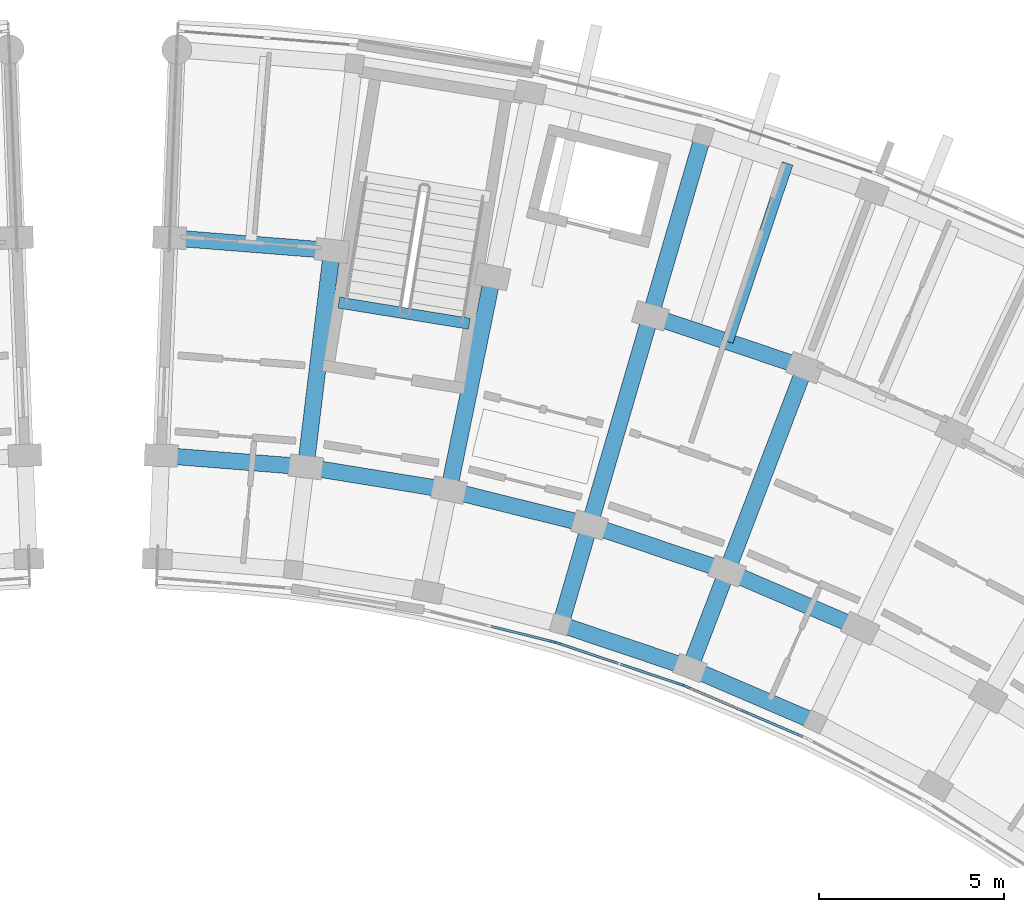
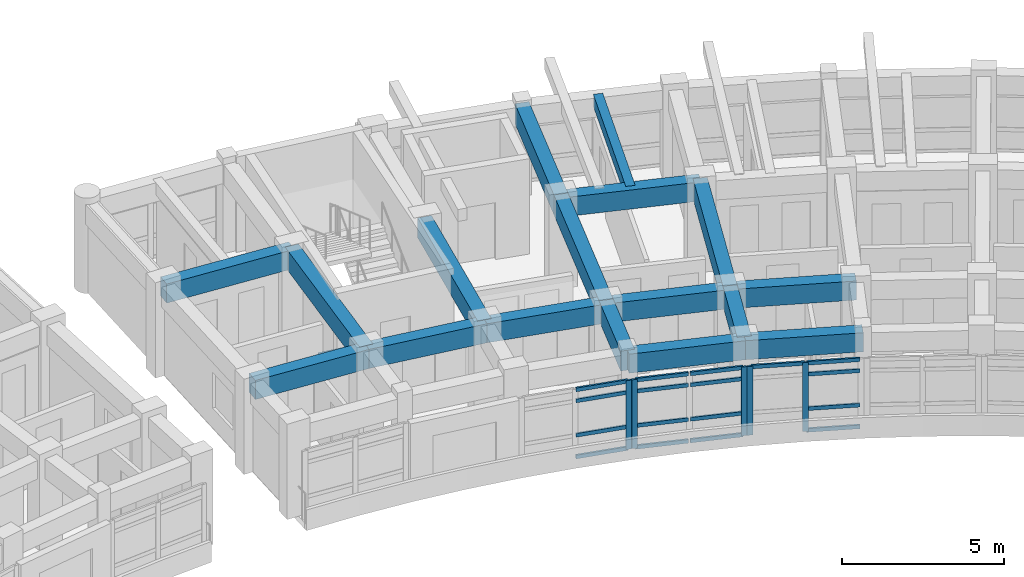
# One storey, part 26 of 83: 22 members, 18 beams, 3 elements without a shape of their own.
"""IFC4 building model written with IfcOpenShell, lengths in metres."""

from ifc_helpers import new_model, si_unit, direction, frame, origin, origin_2d, place, context, subcontext, project, spatial, rectangle, extrude, material, material_profile, profile_set, type_object, element, aggregate, save


model = new_model("IFC4")

# Units and contexts
model_context = context("Model", 3, precision=1e-05, world=origin(), true_north=direction((0.0, 1.0)))
body_context = subcontext(model_context, "Body", "Model", "MODEL_VIEW")
ifc_project = project(units=[si_unit("LENGTHUNIT", "METRE"), si_unit("AREAUNIT", "SQUARE_METRE"), si_unit("VOLUMEUNIT", "CUBIC_METRE"), si_unit("PLANEANGLEUNIT", "RADIAN"), si_unit("MASSUNIT", "GRAM", prefix="KILO")], contexts=[model_context])

# Site, building, storey
site_placement = place(None, origin())
site = spatial("IfcSite", under=ifc_project, at=site_placement, CompositionType="ELEMENT")
building_placement = place(site_placement, origin())
building = spatial("IfcBuilding", under=site, at=building_placement, Name="Zimvara Arc Housing Community", CompositionType="ELEMENT")
storey_placement = place(building_placement, frame((0.0, 0.0, 4.5)))
storey = spatial("IfcBuildingStorey", under=building, at=storey_placement, Name="L01", CompositionType="ELEMENT", Elevation=4.5)

# Beams
ifc_material_1 = material(Name="Concrete C40/50", Category="concrete")
ifc_material_profile_1 = material_profile(ifc_material_1, rectangle(XDim=0.300048828125, YDim=0.449951171875, at=origin_2d()), Name="RC 300x450")
ifc_profile_set_1 = profile_set([ifc_material_profile_1], Name="Concrete C40/50")
beam_type_1 = type_object("IfcBeamType", Name="BM-RC-300x450", PredefinedType="JOIST", material=ifc_profile_set_1)
beam_1_placement = place(storey_placement, frame((62.1279296875, 95.453369140625, 3.135009765625), z_axis=(0.318607669836, 0.947886677152, 0.0), x_axis=(-0.947886677152, 0.318607669836, 0.0)))
element("IfcBeam", 1, at=beam_1_placement, inside=storey, type_object=beam_type_1, Name="bm:blkB:L01:joist:b3", PredefinedType="JOIST", context=body_context, shape_type="SweptSolid", body=[
    extrude(rectangle(XDim=0.300048828125, YDim=0.449951171875, at=origin_2d()), origin(), (0.0, 0.0, 1.0), 5.07568359375),
])
ifc_material_2 = material(Name="Concrete C40/50", Category="concrete")
ifc_material_profile_2 = material_profile(ifc_material_2, rectangle(XDim=0.300048828125, YDim=0.5, at=origin_2d()), Name="RC 300x500")
ifc_profile_set_2 = profile_set([ifc_material_profile_2], Name="Concrete C40/50")
beam_type_2 = type_object("IfcBeamType", Name="BM-RC-300x500", PredefinedType="BEAM", material=ifc_profile_set_2)
beam_2_placement = place(storey_placement, frame((55.15771484375, 95.93701171875, -0.25), z_axis=(-0.987080057935, 0.160227835371, 0.0), x_axis=(-0.160227835371, -0.987080057935, 0.0)))
element("IfcBeam", 2, at=beam_2_placement, inside=storey, type_object=beam_type_2, Name="bm:stair_trim:ST-B1:L01:near", PredefinedType="BEAM", context=body_context, shape_type="SweptSolid", body=[
    extrude(rectangle(XDim=0.300048828125, YDim=0.5, at=origin_2d()), origin(), (0.0, 0.0, 1.0), 3.570068359375),
])
ifc_material_3 = material(Name="Concrete C40/50", Category="concrete")
ifc_material_profile_3 = material_profile(ifc_material_3, rectangle(XDim=0.43994140625, YDim=0.719970703125, at=origin_2d()), Name="RC 440x720")
ifc_profile_set_3 = profile_set([ifc_material_profile_3], Name="Concrete C40/50")
beam_type_3 = type_object("IfcBeamType", Name="BM-RC-440x720", PredefinedType="BEAM", material=ifc_profile_set_3)
for number, where, z_axis, x_axis, name in (
    (3, (57.618408203125, 87.819580078125, 3.0), (0.94789181932, -0.31859237101, 0.0), (0.31859237101, 0.94789181932, 0.0), "bm:blkB:L01:chord:r0:b3"),
    (4, (61.11083984375, 86.645751953125, 3.0), (0.918705736243, -0.394942742932, 0.0), (0.394942742932, 0.918705736243, 0.0), "bm:blkB:L01:chord:r0:b4"),
):
    element("IfcBeam", number, at=place(storey_placement, frame(where, z_axis=z_axis, x_axis=x_axis)), inside=storey, type_object=beam_type_3, Name=name, PredefinedType="BEAM", context=body_context, shape_type="SweptSolid", body=[
        extrude(rectangle(XDim=0.43994140625, YDim=0.719970703125, at=origin_2d()), origin(), (0.0, 0.0, 1.0), 3.684326171875),
    ])
beam_3_placement = place(storey_placement, frame((46.839599609375, 92.384765625, 3.0), z_axis=(0.99686054795, -0.079177319606, 0.0), x_axis=(0.079177319606, 0.99686054795, 0.0)))
element("IfcBeam", 5, at=beam_3_placement, inside=storey, type_object=beam_type_3, Name="bm:blkB:L01:chord:r1:b0", PredefinedType="BEAM", context=body_context, shape_type="SweptSolid", body=[
    extrude(rectangle(XDim=0.43994140625, YDim=0.719970703125, at=origin_2d()), origin(), (0.0, 0.0, 1.0), 3.912841796875),
])
for number, where, z_axis, x_axis, name in (
    (6, (50.740234375, 92.074951171875, 3.0), (0.987081487371, -0.160219029111, 0.0), (0.160219029111, 0.987081487371, 0.0), "bm:blkB:L01:chord:r1:b1"),
    (7, (54.602783203125, 91.447998046875, 3.0), (0.970708671682, -0.240259598602, 0.0), (0.240259598602, 0.970708671682, 0.0), "bm:blkB:L01:chord:r1:b2"),
    (8, (58.4013671875, 90.5078125, 3.0), (0.947881689069, -0.31862250945, 0.0), (0.31862250945, 0.947881689069, 0.0), "bm:blkB:L01:chord:r1:b3"),
    (9, (62.110595703125, 89.260986328125, 3.0), (0.91873144242, -0.394882940514, 0.0), (0.394882940514, 0.91873144242, 0.0), "bm:blkB:L01:chord:r1:b4"),
):
    element("IfcBeam", number, at=place(storey_placement, frame(where, z_axis=z_axis, x_axis=x_axis)), inside=storey, type_object=beam_type_3, Name=name, PredefinedType="BEAM", context=body_context, shape_type="SweptSolid", body=[
        extrude(rectangle(XDim=0.43994140625, YDim=0.719970703125, at=origin_2d()), origin(), (0.0, 0.0, 1.0), 3.9130859375),
    ])
beam_4_placement = place(storey_placement, frame((47.065185546875, 98.26025390625, 3.0), z_axis=(0.996864209836, -0.079131202119, 0.0), x_axis=(0.079131202119, 0.996864209836, 0.0)))
element("IfcBeam", 10, at=beam_4_placement, inside=storey, type_object=beam_type_3, Name="bm:blkB:L01:chord:r2:b0", PredefinedType="BEAM", context=body_context, shape_type="SweptSolid", body=[
    extrude(rectangle(XDim=0.43994140625, YDim=0.719970703125, at=origin_2d()), origin(), (0.0, 0.0, 1.0), 4.393310546875),
])
beam_5_placement = place(storey_placement, frame((60.0458984375, 96.1533203125, 3.0), z_axis=(0.947868796036, -0.318660862832, 0.0), x_axis=(0.318660862832, 0.947868796036, 0.0)))
element("IfcBeam", 11, at=beam_5_placement, inside=storey, type_object=beam_type_3, Name="bm:blkB:L01:chord:r2:b3", PredefinedType="BEAM", context=body_context, shape_type="SweptSolid", body=[
    extrude(rectangle(XDim=0.43994140625, YDim=0.719970703125, at=origin_2d()), origin(), (0.0, 0.0, 1.0), 4.39306640625),
])
ifc_material_4 = material(Name="Concrete C40/50", Category="concrete")
ifc_material_profile_4 = material_profile(ifc_material_4, rectangle(XDim=0.449951171875, YDim=0.75, at=origin_2d()), Name="RC 450x750")
ifc_profile_set_4 = profile_set([ifc_material_profile_4], Name="Concrete C40/50")
beam_type_4 = type_object("IfcBeamType", Name="BM-RC-450x750", PredefinedType="BEAM", material=ifc_profile_set_4)
for number, where, z_axis, x_axis, name in (
    (12, (50.740234375, 92.074951171875, 2.985107421875), (0.119827921695, 0.992794676246, 0.0), (-0.992794676246, 0.119827921695, 0.0), "bm:blkB:L01:rad:b1:r12"),
    (13, (54.602783203125, 91.447998046875, 2.985107421875), (0.200417973989, 0.979710485655, 0.0), (-0.979710485655, 0.200417973989, 0.0), "bm:blkB:L01:rad:b2:r12"),
):
    element("IfcBeam", number, at=place(storey_placement, frame(where, z_axis=z_axis, x_axis=x_axis)), inside=storey, type_object=beam_type_4, Name=name, PredefinedType="BEAM", context=body_context, shape_type="SweptSolid", body=[
        extrude(rectangle(XDim=0.449951171875, YDim=0.75, at=origin_2d()), origin(), (0.0, 0.0, 1.0), 5.880126953125),
    ])
beam_6_placement = place(storey_placement, frame((57.618408203125, 87.819580078125, 2.985107421875), z_axis=(0.279635015525, 0.960106378529, 0.0), x_axis=(-0.960106378529, 0.279635015525, 0.0)))
element("IfcBeam", 14, at=beam_6_placement, inside=storey, type_object=beam_type_4, Name="bm:blkB:L01:rad:b3:r01", PredefinedType="BEAM", context=body_context, shape_type="SweptSolid", body=[
    extrude(rectangle(XDim=0.449951171875, YDim=0.75, at=origin_2d()), origin(), (0.0, 0.0, 1.0), 2.800048828125),
])
beam_7_placement = place(storey_placement, frame((58.4013671875, 90.5078125, 2.985107421875), z_axis=(0.27967473749, 0.960094808449, 0.0), x_axis=(-0.960094808449, 0.27967473749, 0.0)))
element("IfcBeam", 15, at=beam_7_placement, inside=storey, type_object=beam_type_4, Name="bm:blkB:L01:rad:b3:r12", PredefinedType="BEAM", context=body_context, shape_type="SweptSolid", body=[
    extrude(rectangle(XDim=0.449951171875, YDim=0.75, at=origin_2d()), origin(), (0.0, 0.0, 1.0), 5.880126953125),
])
beam_8_placement = place(storey_placement, frame((60.0458984375, 96.1533203125, 2.985107421875), z_axis=(0.279662254096, 0.960098444762, 0.0), x_axis=(-0.960098444762, 0.279662254096, 0.0)))
element("IfcBeam", 16, at=beam_8_placement, inside=storey, type_object=beam_type_4, Name="bm:blkB:L01:rad:b3:r23", PredefinedType="BEAM", context=body_context, shape_type="SweptSolid", body=[
    extrude(rectangle(XDim=0.449951171875, YDim=0.75, at=origin_2d()), origin(), (0.0, 0.0, 1.0), 5.079833984375),
])
beam_9_placement = place(storey_placement, frame((61.11083984375, 86.645751953125, 2.985107421875), z_axis=(0.357079289134, 0.934074076972, 0.0), x_axis=(-0.934074076972, 0.357079289134, 0.0)))
element("IfcBeam", 17, at=beam_9_placement, inside=storey, type_object=beam_type_4, Name="bm:blkB:L01:rad:b4:r01", PredefinedType="BEAM", context=body_context, shape_type="SweptSolid", body=[
    extrude(rectangle(XDim=0.449951171875, YDim=0.75, at=origin_2d()), origin(), (0.0, 0.0, 1.0), 2.7998046875),
])
beam_10_placement = place(storey_placement, frame((62.110595703125, 89.260986328125, 2.985107421875), z_axis=(0.357036247742, 0.934090529766, 0.0), x_axis=(-0.934090529766, 0.357036247742, 0.0)))
element("IfcBeam", 18, at=beam_10_placement, inside=storey, type_object=beam_type_4, Name="bm:blkB:L01:rad:b4:r12", PredefinedType="BEAM", context=body_context, shape_type="SweptSolid", body=[
    extrude(rectangle(XDim=0.449951171875, YDim=0.75, at=origin_2d()), origin(), (0.0, 0.0, 1.0), 5.8798828125),
])

# Curtain wall, member
ifc_material_5 = material(Name="Anodised Aluminium AW-6063", Category="aluminium")
curtain_wall_type_1 = type_object("IfcCurtainWallType", Name="CW-SYS-04", PredefinedType="USERDEFINED", material=ifc_material_5)
curtain_wall_1_placement = place(storey_placement, origin())
curtain_wall_1 = element("IfcCurtainWall", 19, at=curtain_wall_1_placement, inside=storey, type_object=curtain_wall_type_1, Name="cw:blkB:L01:in:b2", ObjectType="CURTAIN WALL", PredefinedType="USERDEFINED")
ifc_material_6 = material(Name="Anodised Aluminium AW-6063", Category="aluminium")
ifc_material_profile_5 = material_profile(ifc_material_6, rectangle(XDim=0.06494140625, YDim=0.179931640625, at=origin_2d()), Name="ALU 65x180")
ifc_profile_set_5 = profile_set([ifc_material_profile_5], Name="Anodised Aluminium AW-6063")
member_type_1 = type_object("IfcMemberType", Name="CWM-65x150", PredefinedType="MULLION", material=ifc_profile_set_5)
member_1_placement = place(storey_placement, frame((57.388671875, 87.36181640625, 0.0), z_axis=(0.0, 0.0, 1.0), x_axis=(0.240227815706, 0.970716537698, 0.0)))
member_1 = element("IfcMember", 20, at=member_1_placement, type_object=member_type_1, Name="CW04 mullion 3", PredefinedType="MULLION", context=body_context, shape_type="SweptSolid", body=[
    extrude(rectangle(XDim=0.06494140625, YDim=0.179931640625, at=origin_2d()), origin(), (0.0, 0.0, 1.0), 2.60009765625),
])

# Curtain wall, members
ifc_material_7 = material(Name="Anodised Aluminium AW-6063", Category="aluminium")
curtain_wall_type_2 = type_object("IfcCurtainWallType", Name="CW-SYS-06", PredefinedType="USERDEFINED", material=ifc_material_7)
curtain_wall_2_placement = place(storey_placement, origin())
curtain_wall_2 = element("IfcCurtainWall", 21, at=curtain_wall_2_placement, inside=storey, type_object=curtain_wall_type_2, Name="cw:blkB:L01:in:b3", ObjectType="CURTAIN WALL", PredefinedType="USERDEFINED")
member_2_placement = place(storey_placement, frame((57.566162109375, 87.31005859375, 0.0), z_axis=(0.0, 0.0, 1.0), x_axis=(0.318630249383, 0.94787908732, 0.0)))
member_2 = element("IfcMember", 22, at=member_2_placement, type_object=member_type_1, Name="CW06 mullion 1", PredefinedType="MULLION", context=body_context, shape_type="SweptSolid", body=[
    extrude(rectangle(XDim=0.06494140625, YDim=0.179931640625, at=origin_2d()), origin(), (0.0, 0.0, 1.0), 2.60009765625),
])
member_3_placement = place(storey_placement, frame((60.844482421875, 86.2080078125, 0.0), z_axis=(0.0, 0.0, 1.0), x_axis=(0.318630249383, 0.94787908732, 0.0)))
member_3 = element("IfcMember", 23, at=member_3_placement, type_object=member_type_1, Name="CW06 mullion 3", PredefinedType="MULLION", context=body_context, shape_type="SweptSolid", body=[
    extrude(rectangle(XDim=0.06494140625, YDim=0.179931640625, at=origin_2d()), origin(), (0.0, 0.0, 1.0), 2.60009765625),
])

ifc_material_8 = material(Name="Anodised Aluminium AW-6063", Category="aluminium")
curtain_wall_type_3 = type_object("IfcCurtainWallType", Name="CW-SYS-08", PredefinedType="USERDEFINED", material=ifc_material_8)
curtain_wall_3_placement = place(storey_placement, origin())
curtain_wall_3 = element("IfcCurtainWall", 24, at=curtain_wall_3_placement, inside=storey, type_object=curtain_wall_type_3, Name="cw:blkB:L01:in:b4", ObjectType="CURTAIN WALL", PredefinedType="USERDEFINED")
member_4_placement = place(storey_placement, frame((61.01708984375, 86.14208984375, 0.0), z_axis=(0.0, 0.0, 1.0), x_axis=(0.394904493375, 0.918722178415, 0.0)))
member_4 = element("IfcMember", 25, at=member_4_placement, type_object=member_type_1, Name="CW08 mullion 1", PredefinedType="MULLION", context=body_context, shape_type="SweptSolid", body=[
    extrude(rectangle(XDim=0.06494140625, YDim=0.179931640625, at=origin_2d()), origin(), (0.0, 0.0, 1.0), 2.60009765625),
])
member_5_placement = place(storey_placement, frame((62.60595703125, 85.459228515625, 0.0), z_axis=(0.0, 0.0, 1.0), x_axis=(0.394904493375, 0.918722178415, 0.0)))
member_5 = element("IfcMember", 26, at=member_5_placement, type_object=member_type_1, Name="CW08 mullion 2", PredefinedType="MULLION", context=body_context, shape_type="SweptSolid", body=[
    extrude(rectangle(XDim=0.06494140625, YDim=0.179931640625, at=origin_2d()), origin(), (0.0, 0.0, 1.0), 2.60009765625),
])

# Member
ifc_material_9 = material(Name="Anodised Aluminium AW-6063", Category="aluminium")
ifc_material_profile_6 = material_profile(ifc_material_9, rectangle(XDim=0.06494140625, YDim=0.139892578125, at=origin_2d()), Name="ALU 65x140")
ifc_profile_set_6 = profile_set([ifc_material_profile_6], Name="Anodised Aluminium AW-6063")
member_type_2 = type_object("IfcMemberType", Name="CWT-65x120", PredefinedType="USERDEFINED", material=ifc_profile_set_6)
member_6_placement = place(storey_placement, frame((55.74169921875, 87.76953125, 0.032470703125), z_axis=(0.970700809973, -0.24029135964, 0.0), x_axis=(0.24029135964, 0.970700809973, 0.0)))
member_6 = element("IfcMember", 27, at=member_6_placement, type_object=member_type_2, Name="CW04 transom 2.1", ObjectType="TRANSOM", PredefinedType="USERDEFINED", context=body_context, shape_type="SweptSolid", body=[
    extrude(rectangle(XDim=0.06494140625, YDim=0.139892578125, at=origin_2d()), origin(), (0.0, 0.0, 1.0), 1.664306640625),
])

member_7_placement = place(storey_placement, frame((55.74169921875, 87.76953125, 0.85009765625), z_axis=(0.970700809973, -0.24029135964, 0.0), x_axis=(0.24029135964, 0.970700809973, 0.0)))
member_7 = element("IfcMember", 28, at=member_7_placement, type_object=member_type_2, Name="CW04 transom 2.2", ObjectType="TRANSOM", PredefinedType="USERDEFINED", context=body_context, shape_type="SweptSolid", body=[
    extrude(rectangle(XDim=0.06494140625, YDim=0.139892578125, at=origin_2d()), origin(), (0.0, 0.0, 1.0), 1.664306640625),
])

member_8_placement = place(storey_placement, frame((55.74169921875, 87.76953125, 2.14990234375), z_axis=(0.970700809973, -0.24029135964, 0.0), x_axis=(0.24029135964, 0.970700809973, 0.0)))
member_8 = element("IfcMember", 29, at=member_8_placement, type_object=member_type_2, Name="CW04 transom 2.3", ObjectType="TRANSOM", PredefinedType="USERDEFINED", context=body_context, shape_type="SweptSolid", body=[
    extrude(rectangle(XDim=0.06494140625, YDim=0.139892578125, at=origin_2d()), origin(), (0.0, 0.0, 1.0), 1.664306640625),
])

member_9_placement = place(storey_placement, frame((55.74169921875, 87.76953125, 2.5673828125), z_axis=(0.970700809973, -0.24029135964, 0.0), x_axis=(0.24029135964, 0.970700809973, 0.0)))
member_9 = element("IfcMember", 30, at=member_9_placement, type_object=member_type_2, Name="CW04 transom 2.4", ObjectType="TRANSOM", PredefinedType="USERDEFINED", context=body_context, shape_type="SweptSolid", body=[
    extrude(rectangle(XDim=0.06494140625, YDim=0.139892578125, at=origin_2d()), origin(), (0.0, 0.0, 1.0), 1.664306640625),
])

aggregate(curtain_wall_1, [member_1, member_6, member_7, member_8, member_9])

member_10_placement = place(storey_placement, frame((57.596923828125, 87.2998046875, 0.032470703125), z_axis=(0.947888214723, -0.318603095385, 0.0), x_axis=(0.318603095385, 0.947888214723, 0.0)))
member_10 = element("IfcMember", 31, at=member_10_placement, type_object=member_type_2, Name="CW06 transom 1.1", ObjectType="TRANSOM", PredefinedType="USERDEFINED", context=body_context, shape_type="SweptSolid", body=[
    extrude(rectangle(XDim=0.06494140625, YDim=0.139892578125, at=origin_2d()), origin(), (0.0, 0.0, 1.0), 1.664306640625),
])

member_11_placement = place(storey_placement, frame((57.596923828125, 87.2998046875, 0.85009765625), z_axis=(0.947888214723, -0.318603095385, 0.0), x_axis=(0.318603095385, 0.947888214723, 0.0)))
member_11 = element("IfcMember", 32, at=member_11_placement, type_object=member_type_2, Name="CW06 transom 1.2", ObjectType="TRANSOM", PredefinedType="USERDEFINED", context=body_context, shape_type="SweptSolid", body=[
    extrude(rectangle(XDim=0.06494140625, YDim=0.139892578125, at=origin_2d()), origin(), (0.0, 0.0, 1.0), 1.664306640625),
])

member_12_placement = place(storey_placement, frame((57.596923828125, 87.2998046875, 2.14990234375), z_axis=(0.947888214723, -0.318603095385, 0.0), x_axis=(0.318603095385, 0.947888214723, 0.0)))
member_12 = element("IfcMember", 33, at=member_12_placement, type_object=member_type_2, Name="CW06 transom 1.3", ObjectType="TRANSOM", PredefinedType="USERDEFINED", context=body_context, shape_type="SweptSolid", body=[
    extrude(rectangle(XDim=0.06494140625, YDim=0.139892578125, at=origin_2d()), origin(), (0.0, 0.0, 1.0), 1.664306640625),
])

member_13_placement = place(storey_placement, frame((57.596923828125, 87.2998046875, 2.5673828125), z_axis=(0.947888214723, -0.318603095385, 0.0), x_axis=(0.318603095385, 0.947888214723, 0.0)))
member_13 = element("IfcMember", 34, at=member_13_placement, type_object=member_type_2, Name="CW06 transom 1.4", ObjectType="TRANSOM", PredefinedType="USERDEFINED", context=body_context, shape_type="SweptSolid", body=[
    extrude(rectangle(XDim=0.06494140625, YDim=0.139892578125, at=origin_2d()), origin(), (0.0, 0.0, 1.0), 1.664306640625),
])

member_14_placement = place(storey_placement, frame((59.236083984375, 86.748779296875, 0.032470703125), z_axis=(0.947888214723, -0.318603095385, 0.0), x_axis=(0.318603095385, 0.947888214723, 0.0)))
member_14 = element("IfcMember", 35, at=member_14_placement, type_object=member_type_2, Name="CW06 transom 2.1", ObjectType="TRANSOM", PredefinedType="USERDEFINED", context=body_context, shape_type="SweptSolid", body=[
    extrude(rectangle(XDim=0.06494140625, YDim=0.139892578125, at=origin_2d()), origin(), (0.0, 0.0, 1.0), 1.664306640625),
])

member_15_placement = place(storey_placement, frame((59.236083984375, 86.748779296875, 0.85009765625), z_axis=(0.947888214723, -0.318603095385, 0.0), x_axis=(0.318603095385, 0.947888214723, 0.0)))
member_15 = element("IfcMember", 36, at=member_15_placement, type_object=member_type_2, Name="CW06 transom 2.2", ObjectType="TRANSOM", PredefinedType="USERDEFINED", context=body_context, shape_type="SweptSolid", body=[
    extrude(rectangle(XDim=0.06494140625, YDim=0.139892578125, at=origin_2d()), origin(), (0.0, 0.0, 1.0), 1.664306640625),
])

member_16_placement = place(storey_placement, frame((59.236083984375, 86.748779296875, 2.14990234375), z_axis=(0.947888214723, -0.318603095385, 0.0), x_axis=(0.318603095385, 0.947888214723, 0.0)))
member_16 = element("IfcMember", 37, at=member_16_placement, type_object=member_type_2, Name="CW06 transom 2.3", ObjectType="TRANSOM", PredefinedType="USERDEFINED", context=body_context, shape_type="SweptSolid", body=[
    extrude(rectangle(XDim=0.06494140625, YDim=0.139892578125, at=origin_2d()), origin(), (0.0, 0.0, 1.0), 1.664306640625),
])

member_17_placement = place(storey_placement, frame((59.236083984375, 86.748779296875, 2.5673828125), z_axis=(0.947888214723, -0.318603095385, 0.0), x_axis=(0.318603095385, 0.947888214723, 0.0)))
member_17 = element("IfcMember", 38, at=member_17_placement, type_object=member_type_2, Name="CW06 transom 2.4", ObjectType="TRANSOM", PredefinedType="USERDEFINED", context=body_context, shape_type="SweptSolid", body=[
    extrude(rectangle(XDim=0.06494140625, YDim=0.139892578125, at=origin_2d()), origin(), (0.0, 0.0, 1.0), 1.664306640625),
])

aggregate(curtain_wall_2, [member_2, member_3, member_10, member_11, member_12, member_13, member_14, member_15, member_16, member_17])

member_18_placement = place(storey_placement, frame((61.047119140625, 86.12939453125, 2.5673828125), z_axis=(0.918673978315, -0.395016609229, 0.0), x_axis=(0.395016609229, 0.918673978315, 0.0)))
member_18 = element("IfcMember", 39, at=member_18_placement, type_object=member_type_2, Name="CW08 transom 1.4", ObjectType="TRANSOM", PredefinedType="USERDEFINED", context=body_context, shape_type="SweptSolid", body=[
    extrude(rectangle(XDim=0.06494140625, YDim=0.139892578125, at=origin_2d()), origin(), (0.0, 0.0, 1.0), 1.664306640625),
])

member_19_placement = place(storey_placement, frame((62.6357421875, 85.4462890625, 0.032470703125), z_axis=(0.918727202972, -0.394892803832, 0.0), x_axis=(0.394892803832, 0.918727202972, 0.0)))
member_19 = element("IfcMember", 40, at=member_19_placement, type_object=member_type_2, Name="CW08 transom 2.1", ObjectType="TRANSOM", PredefinedType="USERDEFINED", context=body_context, shape_type="SweptSolid", body=[
    extrude(rectangle(XDim=0.06494140625, YDim=0.139892578125, at=origin_2d()), origin(), (0.0, 0.0, 1.0), 1.664306640625),
])

member_20_placement = place(storey_placement, frame((62.6357421875, 85.4462890625, 0.85009765625), z_axis=(0.918727202972, -0.394892803832, 0.0), x_axis=(0.394892803832, 0.918727202972, 0.0)))
member_20 = element("IfcMember", 41, at=member_20_placement, type_object=member_type_2, Name="CW08 transom 2.2", ObjectType="TRANSOM", PredefinedType="USERDEFINED", context=body_context, shape_type="SweptSolid", body=[
    extrude(rectangle(XDim=0.06494140625, YDim=0.139892578125, at=origin_2d()), origin(), (0.0, 0.0, 1.0), 1.664306640625),
])

member_21_placement = place(storey_placement, frame((62.6357421875, 85.4462890625, 2.14990234375), z_axis=(0.918727202972, -0.394892803832, 0.0), x_axis=(0.394892803832, 0.918727202972, 0.0)))
member_21 = element("IfcMember", 42, at=member_21_placement, type_object=member_type_2, Name="CW08 transom 2.3", ObjectType="TRANSOM", PredefinedType="USERDEFINED", context=body_context, shape_type="SweptSolid", body=[
    extrude(rectangle(XDim=0.06494140625, YDim=0.139892578125, at=origin_2d()), origin(), (0.0, 0.0, 1.0), 1.664306640625),
])

member_22_placement = place(storey_placement, frame((62.6357421875, 85.4462890625, 2.5673828125), z_axis=(0.918727202972, -0.394892803832, 0.0), x_axis=(0.394892803832, 0.918727202972, 0.0)))
member_22 = element("IfcMember", 43, at=member_22_placement, type_object=member_type_2, Name="CW08 transom 2.4", ObjectType="TRANSOM", PredefinedType="USERDEFINED", context=body_context, shape_type="SweptSolid", body=[
    extrude(rectangle(XDim=0.06494140625, YDim=0.139892578125, at=origin_2d()), origin(), (0.0, 0.0, 1.0), 1.664306640625),
])

aggregate(curtain_wall_3, [member_4, member_5, member_18, member_19, member_20, member_21, member_22])

save(model, "model.ifc")
